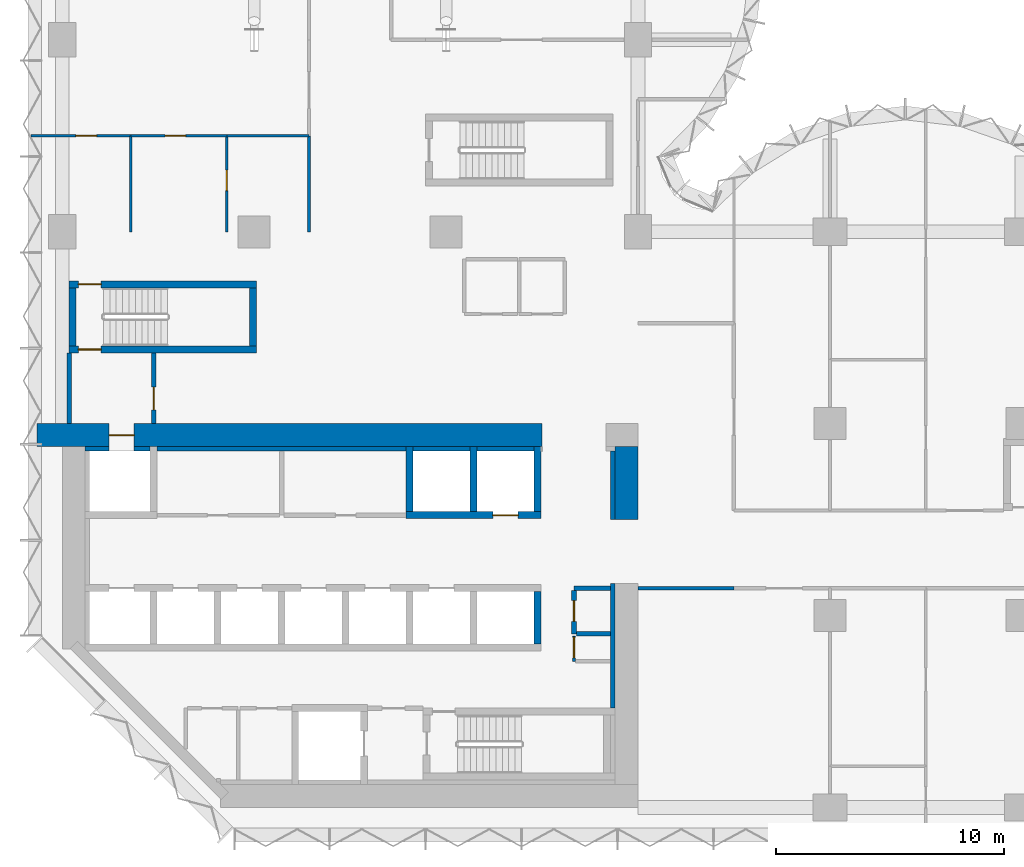
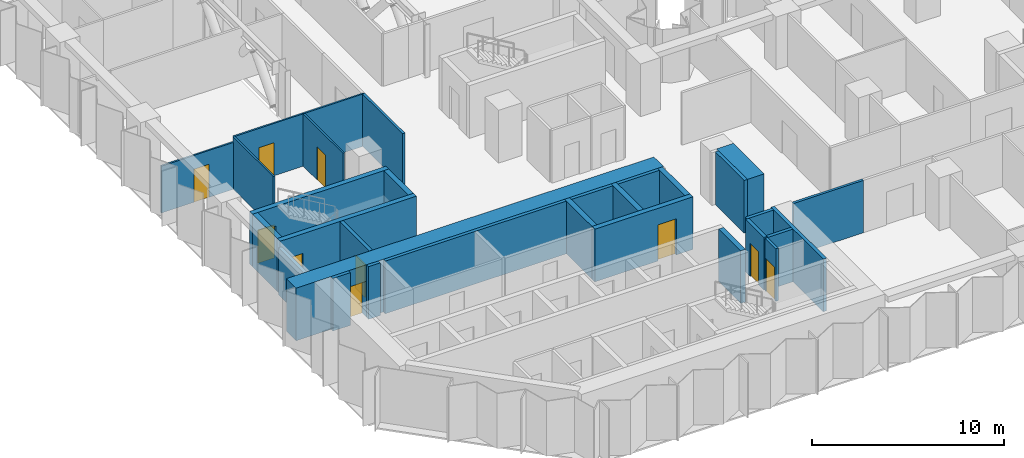
# One storey, part 10 of 18: 31 walls, 10 doors, 10 openings.
"""IFC4 building model written with IfcOpenShell, lengths in metres."""

from ifc_helpers import new_model, si_unit, direction, frame, frame_2d, origin, place, context, subcontext, project, spatial, rectangle, extrude, material, layer, layer_set, type_object, element, fill, save


model = new_model("IFC4")

# Units and contexts
model_context = context("Model", 3, precision=1e-05, world=origin(), true_north=direction((0.0, 1.0)))
body_context = subcontext(model_context, "Body", "Model", "MODEL_VIEW")
ifc_project = project(units=[si_unit("LENGTHUNIT", "METRE"), si_unit("AREAUNIT", "SQUARE_METRE"), si_unit("VOLUMEUNIT", "CUBIC_METRE"), si_unit("PLANEANGLEUNIT", "RADIAN"), si_unit("MASSUNIT", "GRAM", prefix="KILO")], contexts=[model_context])

# Site, building, storey
site_placement = place(None, origin())
site = spatial("IfcSite", under=ifc_project, at=site_placement, CompositionType="ELEMENT")
building_placement = place(site_placement, origin())
building = spatial("IfcBuilding", under=site, at=building_placement, Name="Brevane Broadcast Tower", CompositionType="ELEMENT")
storey_placement = place(building_placement, frame((0.0, 0.0, 40.10009765625)))
storey = spatial("IfcBuildingStorey", under=building, at=storey_placement, Name="L07", CompositionType="ELEMENT", Elevation=40.10009765625)

# Walls
ifc_material_1 = material(Name="Concrete C32/40", Category="concrete")
ifc_layer_1 = layer(ifc_material_1, 0.199951171875)
ifc_layer_set_1 = layer_set([ifc_layer_1], Name="Core chase wall 200 mm")
wall_type_1 = type_object("IfcWallType", Name="Core chase wall 200 mm", PredefinedType="PARTITIONING", material=ifc_layer_set_1)
wall_1_placement = place(storey_placement, frame((24.10009765625, 12.60009765625, 0.0), z_axis=(0.0, 0.0, 1.0), x_axis=(0.0, 1.0, 0.0)))
element("IfcWall", 1, at=wall_1_placement, inside=storey, type_object=wall_type_1, Name="L07 chase wall LE2", PredefinedType="PARTITIONING", context=body_context, shape_type="SweptSolid", body=[
    extrude(rectangle(XDim=3.0, YDim=0.199951171875, at=frame_2d((1.5, 0.0))), origin(), (0.0, 0.0, 1.0), 3.349853515625),
])
wall_2_placement = place(storey_placement, frame((1.0, 15.699951171875, 0.0), z_axis=(0.0, 0.0, 1.0), x_axis=(1.0, 0.0, 0.0)))
element("IfcWall", 2, at=wall_2_placement, inside=storey, type_object=wall_type_1, Name="L07 chase wall LN0", PredefinedType="PARTITIONING", context=body_context, shape_type="SweptSolid", body=[
    extrude(rectangle(XDim=1.050048828125, YDim=0.199951171875, at=frame_2d((0.52490234375, 0.0))), origin(), (0.0, 0.0, 1.0), 3.349853515625),
])
wall_3_placement = place(storey_placement, frame((3.14990234375, 15.699951171875, 0.0), z_axis=(0.0, 0.0, 1.0), x_axis=(1.0, 0.0, 0.0)))
element("IfcWall", 3, at=wall_3_placement, inside=storey, type_object=wall_type_1, Name="L07 chase wall LN1-1", PredefinedType="PARTITIONING", context=body_context, shape_type="SweptSolid", body=[
    extrude(rectangle(XDim=0.7001953125, YDim=0.199951171875, at=frame_2d((0.35009765625, 0.0))), origin(), (0.0, 0.0, 1.0), 3.349853515625),
])
wall_4_placement = place(storey_placement, frame((4.14990234375, 15.699951171875, 0.0), z_axis=(0.0, 0.0, 1.0), x_axis=(1.0, 0.0, 0.0)))
element("IfcWall", 4, at=wall_4_placement, inside=storey, type_object=wall_type_1, Name="L07 chase wall LN1-2-1", PredefinedType="PARTITIONING", context=body_context, shape_type="SweptSolid", body=[
    extrude(rectangle(XDim=10.900146484375, YDim=0.199951171875, at=frame_2d((5.4501953125, 0.0))), origin(), (0.0, 0.0, 1.0), 3.349853515625),
])
for number, where, z_axis, x_axis, name in (
    (5, (15.35009765625, 15.699951171875, 0.0), (0.0, 0.0, 1.0), (1.0, 0.0, 0.0), "L07 chase wall LN1-2-2-1"),
    (6, (18.14990234375, 15.699951171875, 0.0), (0.0, 0.0, 1.0), (1.0, 0.0, 0.0), "L07 chase wall LN1-2-2-2-1"),
):
    element("IfcWall", number, at=place(storey_placement, frame(where, z_axis=z_axis, x_axis=x_axis)), inside=storey, type_object=wall_type_1, Name=name, PredefinedType="PARTITIONING", context=body_context, shape_type="SweptSolid", body=[
        extrude(rectangle(XDim=2.5, YDim=0.199951171875, at=frame_2d((1.25, 0.0))), origin(), (0.0, 0.0, 1.0), 3.349853515625),
    ])
wall_5_placement = place(storey_placement, frame((24.10009765625, 4.35009765625, 0.0), z_axis=(0.0, 0.0, 1.0), x_axis=(0.0, 1.0, 0.0)))
element("IfcWall", 7, at=wall_5_placement, inside=storey, type_object=wall_type_1, Name="L07 chase wall LE1-2-2", PredefinedType="PARTITIONING", context=body_context, shape_type="SweptSolid", body=[
    extrude(rectangle(XDim=5.449951171875, YDim=0.199951171875, at=frame_2d((2.72509765625, 0.0))), origin(), (0.0, 0.0, 1.0), 3.349853515625),
])

# Wall, opening, door
ifc_material_2 = material(Name="Gypsum board on steel studs", Category="steel")
ifc_layer_2 = layer(ifc_material_2, 0.14990234375)
ifc_layer_set_2 = layer_set([ifc_layer_2], Name="Core fire partition 150 mm")
wall_type_2 = type_object("IfcWallType", Name="Core fire partition 150 mm", PredefinedType="PARTITIONING", material=ifc_layer_set_2)
wall_6_placement = place(storey_placement, frame((22.39990234375, 7.5, 0.0), z_axis=(0.0, 0.0, 1.0), x_axis=(0.0, -1.0, 0.0)))
wall_6 = element("IfcWall", 8, at=wall_6_placement, inside=storey, type_object=wall_type_2, Name="L07 partition wall P22", PredefinedType="PARTITIONING", context=body_context, shape_type="SweptSolid", body=[
    extrude(rectangle(XDim=1.10009765625, YDim=0.14990234375, at=frame_2d((0.550048828125, 0.0))), origin(), (0.0, 0.0, 1.0), 3.349853515625),
])
opening_1_placement = place(wall_6_placement, frame((0.050048828125, 0.0, 0.0)))
opening_1 = element("IfcOpeningElement", 9, at=opening_1_placement, cuts=wall_6, Name="Opening L07-K19", PredefinedType="OPENING", context=body_context, shape_type="SweptSolid", body=[
    extrude(rectangle(XDim=0.89990234375, YDim=2.10009765625, at=frame_2d((0.449951171875, 1.050048828125))), frame((0.0, 0.0849609375, 0.0), z_axis=(0.0, -1.0, 0.0), x_axis=(1.0, 0.0, 0.0)), (0.0, 0.0, 1.0), 0.169921875),
])
ifc_material_3 = material(Name="Steel", Category="steel")
door_type_1 = type_object("IfcDoorType", Name="Service room door 900 x 2100", OperationType="SINGLE_SWING_LEFT", PredefinedType="DOOR", material=ifc_material_3)
door_1_placement = place(opening_1_placement, origin())
door_1 = element("IfcDoor", 10, at=door_1_placement, inside=storey, type_object=door_type_1, Name="Door L07-K19", OperationType="SINGLE_SWING_LEFT", OverallHeight=2.10009765625, OverallWidth=0.89990234375, PredefinedType="DOOR", context=body_context, shape_type="SweptSolid", body=[
    extrude(rectangle(XDim=0.89990234375, YDim=2.10009765625, at=frame_2d((0.449951171875, 1.050048828125))), frame((0.0, 0.02490234375, 0.0), z_axis=(0.0, -1.0, 0.0), x_axis=(1.0, 0.0, 0.0)), (0.0, 0.0, 1.0), 0.050048828125),
])
fill(opening_1, door_1)

# Wall
ifc_layer_3 = layer(ifc_material_2, 0.199951171875)
ifc_layer_set_3 = layer_set([ifc_layer_3], Name="Core fire partition 200 mm")
wall_type_3 = type_object("IfcWallType", Name="Core fire partition 200 mm", PredefinedType="PARTITIONING", material=ifc_layer_set_3)
wall_7_placement = place(storey_placement, frame((0.300048828125, 16.81201171875, 0.0), z_axis=(0.0, 0.0, 1.0), x_axis=(0.0, 1.0, 0.0)))
element("IfcWall", 11, at=wall_7_placement, inside=storey, type_object=wall_type_3, Name="L07 partition wall P01", PredefinedType="PARTITIONING", context=body_context, shape_type="SweptSolid", body=[
    extrude(rectangle(XDim=3.075927734375, YDim=0.199951171875, at=frame_2d((1.5380859375, 0.0))), origin(), (0.0, 0.0, 1.0), 2.97998046875),
])

# Wall, opening, door
wall_8_placement = place(storey_placement, frame((4.0, 19.887939453125, 0.0), z_axis=(0.0, 0.0, 1.0), x_axis=(0.0, -1.0, 0.0)))
wall_8 = element("IfcWall", 12, at=wall_8_placement, inside=storey, type_object=wall_type_3, Name="L07 partition wall P02", PredefinedType="PARTITIONING", context=body_context, shape_type="SweptSolid", body=[
    extrude(rectangle(XDim=3.075927734375, YDim=0.199951171875, at=frame_2d((1.5380859375, 0.0))), origin(), (0.0, 0.0, 1.0), 3.349853515625),
])
opening_2_placement = place(wall_8_placement, frame((1.488037109375, 0.0, 0.0)))
opening_2 = element("IfcOpeningElement", 13, at=opening_2_placement, cuts=wall_8, Name="Opening L07-K23", PredefinedType="OPENING", context=body_context, shape_type="SweptSolid", body=[
    extrude(rectangle(XDim=1.0, YDim=2.10009765625, at=frame_2d((0.5, 1.050048828125))), frame((0.0, 0.10986328125, 0.0), z_axis=(0.0, -1.0, 0.0), x_axis=(1.0, 0.0, 0.0)), (0.0, 0.0, 1.0), 0.219970703125),
])
door_type_2 = type_object("IfcDoorType", Name="Stair door 1000 x 2100", OperationType="SINGLE_SWING_LEFT", PredefinedType="DOOR", material=ifc_material_3)
door_2_placement = place(opening_2_placement, origin())
door_2 = element("IfcDoor", 14, at=door_2_placement, inside=storey, type_object=door_type_2, Name="Door L07-K23", OperationType="SINGLE_SWING_LEFT", OverallHeight=2.10009765625, OverallWidth=1.0, PredefinedType="DOOR", context=body_context, shape_type="SweptSolid", body=[
    extrude(rectangle(XDim=1.0, YDim=2.10009765625, at=frame_2d((0.5, 1.050048828125))), frame((0.0, 0.02490234375, 0.0), z_axis=(0.0, -1.0, 0.0), x_axis=(1.0, 0.0, 0.0)), (0.0, 0.0, 1.0), 0.050048828125),
])
fill(opening_2, door_2)

# Wall
wall_9_placement = place(storey_placement, frame((23.988037109375, 9.60009765625, 0.0), z_axis=(0.0, 0.0, 1.0), x_axis=(-1.0, 0.0, 0.0)))
element("IfcWall", 15, at=wall_9_placement, inside=storey, type_object=wall_type_3, Name="L07 partition wall P06", PredefinedType="PARTITIONING", context=body_context, shape_type="SweptSolid", body=[
    extrude(rectangle(XDim=1.588134765625, YDim=0.199951171875, at=frame_2d((0.7939453125, 0.0))), origin(), (0.0, 0.0, 1.0), 3.349853515625),
])

# Wall, opening, door
wall_10_placement = place(storey_placement, frame((22.39990234375, 9.5, 0.0), z_axis=(0.0, 0.0, 1.0), x_axis=(0.0, -1.0, 0.0)))
wall_10 = element("IfcWall", 16, at=wall_10_placement, inside=storey, type_object=wall_type_3, Name="L07 partition wall P07", PredefinedType="PARTITIONING", context=body_context, shape_type="SweptSolid", body=[
    extrude(rectangle(XDim=1.89990234375, YDim=0.199951171875, at=frame_2d((0.949951171875, 0.0))), origin(), (0.0, 0.0, 1.0), 3.349853515625),
])
opening_3_placement = place(wall_10_placement, frame((0.449951171875, 0.0, 0.0)))
opening_3 = element("IfcOpeningElement", 17, at=opening_3_placement, cuts=wall_10, Name="Opening L07-K20", PredefinedType="OPENING", context=body_context, shape_type="SweptSolid", body=[
    extrude(rectangle(XDim=0.89990234375, YDim=2.10009765625, at=frame_2d((0.449951171875, 1.050048828125))), frame((0.0, 0.10986328125, 0.0), z_axis=(0.0, -1.0, 0.0), x_axis=(1.0, 0.0, 0.0)), (0.0, 0.0, 1.0), 0.219970703125),
])
door_3_placement = place(opening_3_placement, origin())
door_3 = element("IfcDoor", 18, at=door_3_placement, inside=storey, type_object=door_type_1, Name="Door L07-K20", OperationType="SINGLE_SWING_RIGHT", OverallHeight=2.10009765625, OverallWidth=0.89990234375, PredefinedType="DOOR", context=body_context, shape_type="SweptSolid", body=[
    extrude(rectangle(XDim=0.89990234375, YDim=2.10009765625, at=frame_2d((0.449951171875, 1.050048828125))), frame((0.0, 0.02490234375, 0.0), z_axis=(0.0, -1.0, 0.0), x_axis=(1.0, 0.0, 0.0)), (0.0, 0.0, 1.0), 0.050048828125),
])
fill(opening_3, door_3)

# Wall
wall_11_placement = place(storey_placement, frame((22.5, 7.60009765625, 0.0), z_axis=(0.0, 0.0, 1.0), x_axis=(1.0, 0.0, 0.0)))
element("IfcWall", 19, at=wall_11_placement, inside=storey, type_object=wall_type_3, Name="L07 partition wall P08", PredefinedType="PARTITIONING", context=body_context, shape_type="SweptSolid", body=[
    extrude(rectangle(XDim=1.488037109375, YDim=0.199951171875, at=frame_2d((0.744140625, 0.0))), origin(), (0.0, 0.0, 1.0), 3.349853515625),
])

# Wall, opening, door
ifc_material_4 = material(Name="Concrete C80/95", Category="concrete")
ifc_layer_4 = layer(ifc_material_4, 1.0)
ifc_layer_set_4 = layer_set([ifc_layer_4], Name="Core wall 1000 mm C80/95")
wall_type_4 = type_object("IfcWallType", Name="Core wall 1000 mm C80/95", PredefinedType="SHEAR", material=ifc_layer_set_4)
wall_12_placement = place(storey_placement, frame((-1.10009765625, 16.300048828125, 0.0), z_axis=(0.0, 0.0, 1.0), x_axis=(1.0, 0.0, 0.0)))
wall_12 = element("IfcWall", 20, at=wall_12_placement, inside=storey, type_object=wall_type_4, Name="L07 outer wall WN1", PredefinedType="SHEAR", context=body_context, shape_type="SweptSolid", body=[
    extrude(rectangle(XDim=22.10009765625, YDim=1.0, at=frame_2d((11.050048828125, 0.0))), origin(), (0.0, 0.0, 1.0), 3.349853515625),
])
opening_4_placement = place(wall_12_placement, frame((3.14990234375, 0.0, 0.0)))
opening_4 = element("IfcOpeningElement", 21, at=opening_4_placement, cuts=wall_12, Name="Opening LD", PredefinedType="OPENING", context=body_context, shape_type="SweptSolid", body=[
    extrude(rectangle(XDim=1.10009765625, YDim=2.300048828125, at=frame_2d((0.550048828125, 1.14990234375))), frame((0.0, 0.510009765625, 0.0), z_axis=(0.0, -1.0, 0.0), x_axis=(1.0, 0.0, 0.0)), (0.0, 0.0, 1.0), 1.02001953125),
])
ifc_material_5 = material(Name="Stainless steel", Category="steel")
door_type_3 = type_object("IfcDoorType", Name="Lift landing door", OperationType="SLIDING_TO_LEFT", PredefinedType="DOOR", material=ifc_material_5)
door_4_placement = place(opening_4_placement, origin())
door_4 = element("IfcDoor", 22, at=door_4_placement, inside=storey, type_object=door_type_3, Name="Landing door FF1 L07", OperationType="SLIDING_TO_LEFT", OverallHeight=2.300048828125, OverallWidth=1.10009765625, PredefinedType="DOOR", context=body_context, shape_type="SweptSolid", body=[
    extrude(rectangle(XDim=1.10009765625, YDim=2.300048828125, at=frame_2d((0.550048828125, 1.14990234375))), frame((0.0, 0.02490234375, 0.0), z_axis=(0.0, -1.0, 0.0), x_axis=(1.0, 0.0, 0.0)), (0.0, 0.0, 1.0), 0.050048828125),
])
fill(opening_4, door_4)

# Walls
wall_13_placement = place(storey_placement, frame((24.699951171875, 12.60009765625, 0.0), z_axis=(0.0, 0.0, 1.0), x_axis=(0.0, 1.0, 0.0)))
element("IfcWall", 23, at=wall_13_placement, inside=storey, type_object=wall_type_4, Name="L07 outer wall WE2", PredefinedType="SHEAR", context=body_context, shape_type="SweptSolid", body=[
    extrude(rectangle(XDim=3.199951171875, YDim=1.0, at=frame_2d((1.60009765625, 0.0))), origin(), (0.0, 0.0, 1.0), 3.349853515625),
])
ifc_layer_5 = layer(ifc_material_4, 0.300048828125)
ifc_layer_set_5 = layer_set([ifc_layer_5], Name="Core wall 300 mm C80/95")
wall_type_5 = type_object("IfcWallType", Name="Core wall 300 mm C80/95", PredefinedType="SHEAR", material=ifc_layer_set_5)
wall_14_placement = place(storey_placement, frame((20.800048828125, 7.14990234375, 0.0), z_axis=(0.0, 0.0, 1.0), x_axis=(0.0, 1.0, 0.0)))
element("IfcWall", 24, at=wall_14_placement, inside=storey, type_object=wall_type_5, Name="L07 shaft wall SH-S-P208", PredefinedType="SHEAR", context=body_context, shape_type="SweptSolid", body=[
    extrude(rectangle(XDim=2.300048828125, YDim=0.300048828125, at=frame_2d((1.14990234375, 0.0))), origin(), (0.0, 0.0, 1.0), 3.349853515625),
])

# Wall, opening, door
wall_15_placement = place(storey_placement, frame((15.050048828125, 12.800048828125, 0.0), z_axis=(0.0, 0.0, 1.0), x_axis=(1.0, 0.0, 0.0)))
wall_15 = element("IfcWall", 25, at=wall_15_placement, inside=storey, type_object=wall_type_5, Name="L07 shaft wall SH-N152-front", PredefinedType="SHEAR", context=body_context, shape_type="SweptSolid", body=[
    extrude(rectangle(XDim=5.89990234375, YDim=0.300048828125, at=frame_2d((2.949951171875, 0.0))), origin(), (0.0, 0.0, 1.0), 3.349853515625),
])
opening_5_placement = place(wall_15_placement, frame((3.800048828125, 0.0, 0.0)))
opening_5 = element("IfcOpeningElement", 26, at=opening_5_placement, cuts=wall_15, Name="Opening LD", PredefinedType="OPENING", context=body_context, shape_type="SweptSolid", body=[
    extrude(rectangle(XDim=1.10009765625, YDim=2.300048828125, at=frame_2d((0.550048828125, 1.14990234375))), frame((0.0, 0.159912109375, 0.0), z_axis=(0.0, -1.0, 0.0), x_axis=(1.0, 0.0, 0.0)), (0.0, 0.0, 1.0), 0.320068359375),
])
door_5_placement = place(opening_5_placement, origin())
door_5 = element("IfcDoor", 27, at=door_5_placement, inside=storey, type_object=door_type_3, Name="Landing door SL1 L07", OperationType="SLIDING_TO_LEFT", OverallHeight=2.300048828125, OverallWidth=1.10009765625, PredefinedType="DOOR", context=body_context, shape_type="SweptSolid", body=[
    extrude(rectangle(XDim=1.10009765625, YDim=2.300048828125, at=frame_2d((0.550048828125, 1.14990234375))), frame((0.0, 0.02490234375, 0.0), z_axis=(0.0, -1.0, 0.0), x_axis=(1.0, 0.0, 0.0)), (0.0, 0.0, 1.0), 0.050048828125),
])
fill(opening_5, door_5)

# Walls
for number, where, z_axis, x_axis, name in (
    (28, (15.199951171875, 12.949951171875, 0.0), (0.0, 0.0, 1.0), (0.0, 1.0, 0.0), "L07 shaft wall SH-N-P152"),
    (29, (18.0, 12.949951171875, 0.0), (0.0, 0.0, 1.0), (0.0, 1.0, 0.0), "L07 shaft wall SH-N-P180"),
    (30, (20.800048828125, 12.949951171875, 0.0), (0.0, 0.0, 1.0), (0.0, 1.0, 0.0), "L07 shaft wall SH-N-P208"),
):
    element("IfcWall", number, at=place(storey_placement, frame(where, z_axis=z_axis, x_axis=x_axis)), inside=storey, type_object=wall_type_5, Name=name, PredefinedType="SHEAR", context=body_context, shape_type="SweptSolid", body=[
        extrude(rectangle(XDim=2.85009765625, YDim=0.300048828125, at=frame_2d((1.425048828125, 0.0))), origin(), (0.0, 0.0, 1.0), 3.349853515625),
    ])

# Wall, opening, door
wall_16_placement = place(storey_placement, frame((8.5, 20.050048828125, 0.0), z_axis=(0.0, 0.0, 1.0), x_axis=(-1.0, 0.0, 0.0)))
wall_16 = element("IfcWall", 31, at=wall_16_placement, inside=storey, type_object=wall_type_5, Name="L07 stair wall ST-1-S", PredefinedType="SHEAR", context=body_context, shape_type="SweptSolid", body=[
    extrude(rectangle(XDim=8.199951171875, YDim=0.300048828125, at=frame_2d((4.10009765625, 0.0))), origin(), (0.0, 0.0, 1.0), 3.349853515625),
])
opening_6_placement = place(wall_16_placement, frame((6.800048828125, 0.0, 0.0)))
opening_6 = element("IfcOpeningElement", 32, at=opening_6_placement, cuts=wall_16, Name="Opening L07-K10", PredefinedType="OPENING", context=body_context, shape_type="SweptSolid", body=[
    extrude(rectangle(XDim=1.0, YDim=2.10009765625, at=frame_2d((0.5, 1.050048828125))), frame((0.0, 0.159912109375, 0.0), z_axis=(0.0, -1.0, 0.0), x_axis=(1.0, 0.0, 0.0)), (0.0, 0.0, 1.0), 0.320068359375),
])
door_6_placement = place(opening_6_placement, origin())
door_6 = element("IfcDoor", 33, at=door_6_placement, inside=storey, type_object=door_type_2, Name="Door L07-K10", OperationType="SINGLE_SWING_RIGHT", OverallHeight=2.10009765625, OverallWidth=1.0, PredefinedType="DOOR", context=body_context, shape_type="SweptSolid", body=[
    extrude(rectangle(XDim=1.0, YDim=2.10009765625, at=frame_2d((0.5, 1.050048828125))), frame((0.0, 0.02490234375, 0.0), z_axis=(0.0, -1.0, 0.0), x_axis=(1.0, 0.0, 0.0)), (0.0, 0.0, 1.0), 0.050048828125),
])
fill(opening_6, door_6)

wall_17_placement = place(storey_placement, frame((0.300048828125, 22.89990234375, 0.0), z_axis=(0.0, 0.0, 1.0), x_axis=(1.0, 0.0, 0.0)))
wall_17 = element("IfcWall", 34, at=wall_17_placement, inside=storey, type_object=wall_type_5, Name="L07 stair wall ST-1-N", PredefinedType="SHEAR", context=body_context, shape_type="SweptSolid", body=[
    extrude(rectangle(XDim=8.199951171875, YDim=0.300048828125, at=frame_2d((4.10009765625, 0.0))), origin(), (0.0, 0.0, 1.0), 3.349853515625),
])
opening_7_placement = place(wall_17_placement, frame((0.39990234375, 0.0, 0.0)))
opening_7 = element("IfcOpeningElement", 35, at=opening_7_placement, cuts=wall_17, Name="Opening L07-K11", PredefinedType="OPENING", context=body_context, shape_type="SweptSolid", body=[
    extrude(rectangle(XDim=1.0, YDim=2.10009765625, at=frame_2d((0.5, 1.050048828125))), frame((0.0, 0.159912109375, 0.0), z_axis=(0.0, -1.0, 0.0), x_axis=(1.0, 0.0, 0.0)), (0.0, 0.0, 1.0), 0.320068359375),
])
door_7_placement = place(opening_7_placement, origin())
door_7 = element("IfcDoor", 36, at=door_7_placement, inside=storey, type_object=door_type_2, Name="Door L07-K11", OperationType="SINGLE_SWING_LEFT", OverallHeight=2.10009765625, OverallWidth=1.0, PredefinedType="DOOR", context=body_context, shape_type="SweptSolid", body=[
    extrude(rectangle(XDim=1.0, YDim=2.10009765625, at=frame_2d((0.5, 1.050048828125))), frame((0.0, 0.02490234375, 0.0), z_axis=(0.0, -1.0, 0.0), x_axis=(1.0, 0.0, 0.0)), (0.0, 0.0, 1.0), 0.050048828125),
])
fill(opening_7, door_7)

# Walls
for number, where, z_axis, x_axis, name in (
    (37, (0.449951171875, 20.199951171875, 0.0), (0.0, 0.0, 1.0), (0.0, 1.0, 0.0), "L07 stair wall ST-1-W"),
    (38, (8.35009765625, 20.199951171875, 0.0), (0.0, 0.0, 1.0), (0.0, 1.0, 0.0), "L07 stair wall ST-1-E"),
):
    element("IfcWall", number, at=place(storey_placement, frame(where, z_axis=z_axis, x_axis=x_axis)), inside=storey, type_object=wall_type_5, Name=name, PredefinedType="SHEAR", context=body_context, shape_type="SweptSolid", body=[
        extrude(rectangle(XDim=2.550048828125, YDim=0.300048828125, at=frame_2d((1.27490234375, 0.0))), origin(), (0.0, 0.0, 1.0), 3.349853515625),
    ])

# Wall, opening, door
ifc_material_6 = material(Name="Gypsum board partition")
ifc_layer_6 = layer(ifc_material_6, 0.10009765625)
ifc_layer_set_6 = layer_set([ifc_layer_6], Name="PARTITION 100 STUD")
wall_type_6 = type_object("IfcWallType", Name="PARTITION 100 STUD", PredefinedType="PARTITIONING", material=ifc_layer_set_6)
wall_18_placement = place(storey_placement, frame((3.0, 29.39990234375, 0.0), z_axis=(0.0, 0.0, 1.0), x_axis=(-1.0, 0.0, 0.0)))
wall_18 = element("IfcWall", 39, at=wall_18_placement, inside=storey, type_object=wall_type_6, Name="Partition G01-072", PredefinedType="PARTITIONING", context=body_context, shape_type="SweptSolid", body=[
    extrude(rectangle(XDim=4.364990234375, YDim=0.10009765625, at=frame_2d((2.1826171875, 0.0))), origin(), (0.0, 0.0, 1.0), 2.97998046875),
])
opening_8_placement = place(wall_18_placement, frame((1.5, 0.0, 0.0)))
opening_8 = element("IfcOpeningElement", 40, at=opening_8_placement, cuts=wall_18, Name="Opening D07-022", PredefinedType="OPENING", context=body_context, shape_type="SweptSolid", body=[
    extrude(rectangle(XDim=0.89990234375, YDim=2.10009765625, at=frame_2d((0.449951171875, 1.050048828125))), frame((0.0, 0.06005859375, 0.0), z_axis=(0.0, -1.0, 0.0), x_axis=(1.0, 0.0, 0.0)), (0.0, 0.0, 1.0), 0.1201171875),
])
ifc_material_7 = material(Name="Timber door leaf", Category="wood")
door_type_4 = type_object("IfcDoorType", Name="DOOR SINGLE 900 INTERNAL", OperationType="SINGLE_SWING_LEFT", PredefinedType="DOOR", material=ifc_material_7)
door_8_placement = place(opening_8_placement, origin())
door_8 = element("IfcDoor", 41, at=door_8_placement, inside=storey, type_object=door_type_4, Name="Door D07-022", OperationType="SINGLE_SWING_LEFT", OverallHeight=2.10009765625, OverallWidth=0.89990234375, PredefinedType="DOOR", context=body_context, shape_type="SweptSolid", body=[
    extrude(rectangle(XDim=0.89990234375, YDim=2.10009765625, at=frame_2d((0.449951171875, 1.050048828125))), frame((0.0, 0.02490234375, 0.0), z_axis=(0.0, -1.0, 0.0), x_axis=(1.0, 0.0, 0.0)), (0.0, 0.0, 1.0), 0.050048828125),
])
fill(opening_8, door_8)

wall_19_placement = place(storey_placement, frame((7.199951171875, 29.39990234375, 0.0), z_axis=(0.0, 0.0, 1.0), x_axis=(-1.0, 0.0, 0.0)))
wall_19 = element("IfcWall", 42, at=wall_19_placement, inside=storey, type_object=wall_type_6, Name="Partition G01-073", PredefinedType="PARTITIONING", context=body_context, shape_type="SweptSolid", body=[
    extrude(rectangle(XDim=4.199951171875, YDim=0.10009765625, at=frame_2d((2.10009765625, 0.0))), origin(), (0.0, 0.0, 1.0), 3.329833984375),
])
opening_9_placement = place(wall_19_placement, frame((1.800048828125, 0.0, 0.0)))
opening_9 = element("IfcOpeningElement", 43, at=opening_9_placement, cuts=wall_19, Name="Opening D07-023", PredefinedType="OPENING", context=body_context, shape_type="SweptSolid", body=[
    extrude(rectangle(XDim=0.89990234375, YDim=2.10009765625, at=frame_2d((0.449951171875, 1.050048828125))), frame((0.0, 0.06005859375, 0.0), z_axis=(0.0, -1.0, 0.0), x_axis=(1.0, 0.0, 0.0)), (0.0, 0.0, 1.0), 0.1201171875),
])
door_9_placement = place(opening_9_placement, origin())
door_9 = element("IfcDoor", 44, at=door_9_placement, inside=storey, type_object=door_type_4, Name="Door D07-023", OperationType="SINGLE_SWING_LEFT", OverallHeight=2.10009765625, OverallWidth=0.89990234375, PredefinedType="DOOR", context=body_context, shape_type="SweptSolid", body=[
    extrude(rectangle(XDim=0.89990234375, YDim=2.10009765625, at=frame_2d((0.449951171875, 1.050048828125))), frame((0.0, 0.02490234375, 0.0), z_axis=(0.0, -1.0, 0.0), x_axis=(1.0, 0.0, 0.0)), (0.0, 0.0, 1.0), 0.050048828125),
])
fill(opening_9, door_9)

# Walls
wall_20_placement = place(storey_placement, frame((10.800048828125, 29.39990234375, 0.0), z_axis=(0.0, 0.0, 1.0), x_axis=(-1.0, 0.0, 0.0)))
element("IfcWall", 45, at=wall_20_placement, inside=storey, type_object=wall_type_6, Name="Partition G01-074", PredefinedType="PARTITIONING", context=body_context, shape_type="SweptSolid", body=[
    extrude(rectangle(XDim=3.60009765625, YDim=0.10009765625, at=frame_2d((1.800048828125, 0.0))), origin(), (0.0, 0.0, 1.0), 3.329833984375),
])
wall_21_placement = place(storey_placement, frame((3.0, 29.39990234375, 0.0), z_axis=(0.0, 0.0, 1.0), x_axis=(0.0, -1.0, 0.0)))
element("IfcWall", 46, at=wall_21_placement, inside=storey, type_object=wall_type_6, Name="Partition G01-076", PredefinedType="PARTITIONING", context=body_context, shape_type="SweptSolid", body=[
    extrude(rectangle(XDim=4.199951171875, YDim=0.10009765625, at=frame_2d((2.10009765625, 0.0))), origin(), (0.0, 0.0, 1.0), 3.329833984375),
])

# Wall, opening, door
wall_22_placement = place(storey_placement, frame((7.199951171875, 29.39990234375, 0.0), z_axis=(0.0, 0.0, 1.0), x_axis=(0.0, -1.0, 0.0)))
wall_22 = element("IfcWall", 47, at=wall_22_placement, inside=storey, type_object=wall_type_6, Name="Partition G01-077", PredefinedType="PARTITIONING", context=body_context, shape_type="SweptSolid", body=[
    extrude(rectangle(XDim=4.199951171875, YDim=0.10009765625, at=frame_2d((2.10009765625, 0.0))), origin(), (0.0, 0.0, 1.0), 3.329833984375),
])
opening_10_placement = place(wall_22_placement, frame((1.5, 0.0, 0.0)))
opening_10 = element("IfcOpeningElement", 48, at=opening_10_placement, cuts=wall_22, Name="Opening D07-024", PredefinedType="OPENING", context=body_context, shape_type="SweptSolid", body=[
    extrude(rectangle(XDim=0.89990234375, YDim=2.10009765625, at=frame_2d((0.449951171875, 1.050048828125))), frame((0.0, 0.06005859375, 0.0), z_axis=(0.0, -1.0, 0.0), x_axis=(1.0, 0.0, 0.0)), (0.0, 0.0, 1.0), 0.1201171875),
])
door_10_placement = place(opening_10_placement, origin())
door_10 = element("IfcDoor", 49, at=door_10_placement, inside=storey, type_object=door_type_4, Name="Door D07-024", OperationType="SINGLE_SWING_LEFT", OverallHeight=2.10009765625, OverallWidth=0.89990234375, PredefinedType="DOOR", context=body_context, shape_type="SweptSolid", body=[
    extrude(rectangle(XDim=0.89990234375, YDim=2.10009765625, at=frame_2d((0.449951171875, 1.050048828125))), frame((0.0, 0.02490234375, 0.0), z_axis=(0.0, -1.0, 0.0), x_axis=(1.0, 0.0, 0.0)), (0.0, 0.0, 1.0), 0.050048828125),
])
fill(opening_10, door_10)

# Walls
ifc_layer_7 = layer(ifc_material_6, 0.14990234375)
ifc_layer_set_7 = layer_set([ifc_layer_7], Name="PARTITION 150 EI 60")
wall_type_7 = type_object("IfcWallType", Name="PARTITION 150 EI 60", PredefinedType="PARTITIONING", material=ifc_layer_set_7)
for number, where, z_axis, x_axis, name in (
    (50, (29.39990234375, 9.60009765625, 0.0), (0.0, 0.0, 1.0), (-1.0, 0.0, 0.0), "Partition G01-002"),
    (51, (10.800048828125, 25.199951171875, 0.0), (0.0, 0.0, 1.0), (0.0, 1.0, 0.0), "Partition G01-054"),
):
    element("IfcWall", number, at=place(storey_placement, frame(where, z_axis=z_axis, x_axis=x_axis)), inside=storey, type_object=wall_type_7, Name=name, PredefinedType="PARTITIONING", context=body_context, shape_type="SweptSolid", body=[
        extrude(rectangle(XDim=4.199951171875, YDim=0.14990234375, at=frame_2d((2.10009765625, 0.0))), origin(), (0.0, 0.0, 1.0), 3.329833984375),
    ])

save(model, "model.ifc")
